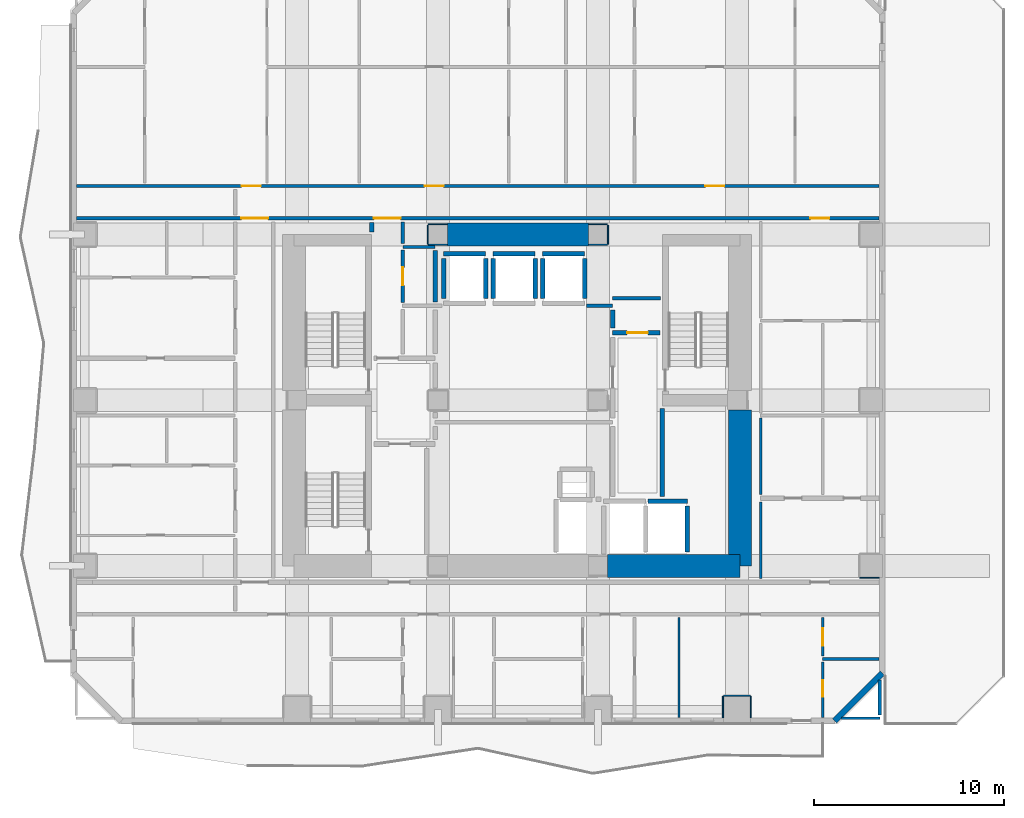
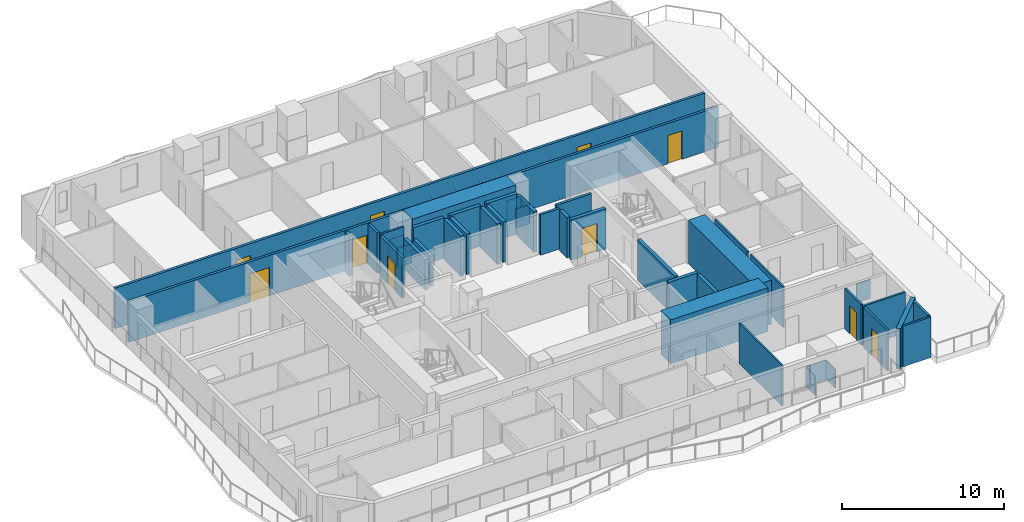
# One storey, part 5 of 12: 45 walls, 10 doors, 10 openings.
"""IFC4 building model written with IfcOpenShell, lengths in metres."""

from ifc_helpers import new_model, si_unit, direction, frame, frame_2d, origin, place, context, subcontext, project, spatial, rectangle, extrude, material, layer, layer_set, type_object, element, fill, save


model = new_model("IFC4")

# Units and contexts
model_context = context("Model", 3, precision=1e-05, world=origin(), true_north=direction((0.0, 1.0)))
body_context = subcontext(model_context, "Body", "Model", "MODEL_VIEW")
ifc_project = project(units=[si_unit("LENGTHUNIT", "METRE"), si_unit("AREAUNIT", "SQUARE_METRE"), si_unit("VOLUMEUNIT", "CUBIC_METRE"), si_unit("PLANEANGLEUNIT", "RADIAN"), si_unit("MASSUNIT", "GRAM", prefix="KILO")], contexts=[model_context])

# Site, building, storey
site_placement = place(None, origin())
site = spatial("IfcSite", under=ifc_project, at=site_placement, CompositionType="ELEMENT")
building_placement = place(site_placement, origin())
building = spatial("IfcBuilding", under=site, at=building_placement, Name="Solanera Arch Residences", CompositionType="ELEMENT")
storey_placement = place(building_placement, frame((0.0, 0.0, 81.760009765625)))
storey = spatial("IfcBuildingStorey", under=building, at=storey_placement, Name="L23", CompositionType="ELEMENT", Elevation=81.760009765625)

# Walls
ifc_material_1 = material(Name="Fire-Rated Gypsum Stud Partition", Category="gypsum")
ifc_layer_1 = layer(ifc_material_1, 0.06005859375)
ifc_layer_set_1 = layer_set([ifc_layer_1], Name="Fire-Rated Gypsum Stud Partition")
wall_type_1 = type_object("IfcWallType", Name="Column Acoustic Furring Wall 60", PredefinedType="PARTITIONING", material=ifc_layer_set_1)
for number, where, z_axis, x_axis, name in (
    (1, (20.300048828125, 38.867919921875, 0.0), (0.0, 0.0, 1.0), (1.0, 0.0, 0.0), "L23 Column Furring 3S"),
    (2, (20.300048828125, 39.931884765625, 0.0), (0.0, 0.0, 1.0), (1.0, 0.0, 0.0), "L23 Column Furring 3N"),
):
    element("IfcWall", number, at=place(storey_placement, frame(where, z_axis=z_axis, x_axis=x_axis)), inside=storey, type_object=wall_type_1, Name=name, PredefinedType="PARTITIONING", context=body_context, shape_type="SweptSolid", body=[
        extrude(rectangle(XDim=0.989990234375, YDim=0.06005859375, at=frame_2d((0.4951171875, 0.0))), origin(), (0.0, 0.0, 1.0), 1.449951171875),
    ])
wall_1_placement = place(storey_placement, frame((20.26806640625, 38.89990234375, 0.0), z_axis=(0.0, 0.0, 1.0), x_axis=(0.0, 1.0, 0.0)))
element("IfcWall", 3, at=wall_1_placement, inside=storey, type_object=wall_type_1, Name="L23 Column Furring 3W", PredefinedType="PARTITIONING", context=body_context, shape_type="SweptSolid", body=[
    extrude(rectangle(XDim=1.0, YDim=0.06005859375, at=frame_2d((0.5, 0.0))), origin(), (0.0, 0.0, 1.0), 1.449951171875),
])
for number, where, z_axis, x_axis, name in (
    (4, (28.7099609375, 38.867919921875, 0.0), (0.0, 0.0, 1.0), (1.0, 0.0, 0.0), "L23 Column Furring 4S"),
    (5, (28.7099609375, 39.931884765625, 0.0), (0.0, 0.0, 1.0), (1.0, 0.0, 0.0), "L23 Column Furring 4N"),
):
    element("IfcWall", number, at=place(storey_placement, frame(where, z_axis=z_axis, x_axis=x_axis)), inside=storey, type_object=wall_type_1, Name=name, PredefinedType="PARTITIONING", context=body_context, shape_type="SweptSolid", body=[
        extrude(rectangle(XDim=0.989990234375, YDim=0.06005859375, at=frame_2d((0.4951171875, 0.0))), origin(), (0.0, 0.0, 1.0), 1.449951171875),
    ])
wall_2_placement = place(storey_placement, frame((29.73193359375, 38.89990234375, 0.0), z_axis=(0.0, 0.0, 1.0), x_axis=(0.0, 1.0, 0.0)))
element("IfcWall", 6, at=wall_2_placement, inside=storey, type_object=wall_type_1, Name="L23 Column Furring 4E", PredefinedType="PARTITIONING", context=body_context, shape_type="SweptSolid", body=[
    extrude(rectangle(XDim=1.0, YDim=0.06005859375, at=frame_2d((0.5, 0.0))), origin(), (0.0, 0.0, 1.0), 1.449951171875),
])
wall_3_placement = place(storey_placement, frame((35.800048828125, 15.181884765625, 0.0), z_axis=(0.0, 0.0, 1.0), x_axis=(1.0, 0.0, 0.0)))
element("IfcWall", 7, at=wall_3_placement, inside=storey, type_object=wall_type_1, Name="L23 Column Furring 15N", PredefinedType="PARTITIONING", context=body_context, shape_type="SweptSolid", body=[
    extrude(rectangle(XDim=1.39990234375, YDim=0.06005859375, at=frame_2d((0.699951171875, 0.0))), origin(), (0.0, 0.0, 1.0), 1.449951171875),
])
for number, where, z_axis, x_axis, name in (
    (8, (35.76806640625, 14.030029296875, 0.0), (0.0, 0.0, 1.0), (0.0, 1.0, 0.0), "L23 Column Furring 15W"),
    (9, (37.23193359375, 14.030029296875, 0.0), (0.0, 0.0, 1.0), (0.0, 1.0, 0.0), "L23 Column Furring 15E"),
):
    element("IfcWall", number, at=place(storey_placement, frame(where, z_axis=z_axis, x_axis=x_axis)), inside=storey, type_object=wall_type_1, Name=name, PredefinedType="PARTITIONING", context=body_context, shape_type="SweptSolid", body=[
        extrude(rectangle(XDim=1.119873046875, YDim=0.06005859375, at=frame_2d((0.56005859375, 0.0))), origin(), (0.0, 0.0, 1.0), 1.449951171875),
    ])
wall_4_placement = place(storey_placement, frame((42.949951171875, 21.367919921875, 0.0), z_axis=(0.0, 0.0, 1.0), x_axis=(1.0, 0.0, 0.0)))
element("IfcWall", 10, at=wall_4_placement, inside=storey, type_object=wall_type_1, Name="L23 Column Furring 18S", PredefinedType="PARTITIONING", context=body_context, shape_type="SweptSolid", body=[
    extrude(rectangle(XDim=1.02001953125, YDim=0.06005859375, at=frame_2d((0.510009765625, 0.0))), origin(), (0.0, 0.0, 1.0), 1.449951171875),
])
ifc_material_2 = material(Name="Concrete C55/67 (f'c = 60 MPa)", Category="concrete")
ifc_layer_2 = layer(ifc_material_2, 1.199951171875)
ifc_layer_set_2 = layer_set([ifc_layer_2], Name="Concrete C55/67 (f'c = 60 MPa)")
wall_type_2 = type_object("IfcWallType", Name="Core Shear Wall CW-1200", PredefinedType="SHEAR", material=ifc_layer_set_2)
wall_5_placement = place(storey_placement, frame((36.659912109375, 22.0, 0.0), z_axis=(0.0, 0.0, 1.0), x_axis=(0.0, 1.0, 0.0)))
element("IfcWall", 11, at=wall_5_placement, inside=storey, type_object=wall_type_2, Name="L23 East Core South Shear Wall", PredefinedType="SHEAR", context=body_context, shape_type="SweptSolid", body=[
    extrude(rectangle(XDim=8.195068359375, YDim=1.199951171875, at=frame_2d((4.09765625, 0.0))), origin(), (0.0, 0.0, 1.0), 3.320068359375),
])
wall_6_placement = place(storey_placement, frame((29.705078125, 22.0, 0.0), z_axis=(0.0, 0.0, 1.0), x_axis=(1.0, 0.0, 0.0)))
element("IfcWall", 12, at=wall_6_placement, inside=storey, type_object=wall_type_2, Name="L23 South-East Core Shear Wall", PredefinedType="SHEAR", context=body_context, shape_type="SweptSolid", body=[
    extrude(rectangle(XDim=6.954833984375, YDim=1.199951171875, at=frame_2d((3.4775390625, 0.0))), origin(), (0.0, 0.0, 1.0), 3.320068359375),
])
wall_7_placement = place(storey_placement, frame((21.304931640625, 39.39990234375, 0.0), z_axis=(0.0, 0.0, 1.0), x_axis=(1.0, 0.0, 0.0)))
element("IfcWall", 13, at=wall_7_placement, inside=storey, type_object=wall_type_2, Name="L23 Central North Core Shear Wall", PredefinedType="SHEAR", context=body_context, shape_type="SweptSolid", body=[
    extrude(rectangle(XDim=7.39013671875, YDim=1.199951171875, at=frame_2d((3.695068359375, 0.0))), origin(), (0.0, 0.0, 1.0), 3.320068359375),
])
ifc_material_3 = material(Name="Autoclaved Aerated Concrete Blockwork", Category="masonry")
ifc_layer_3 = layer(ifc_material_3, 0.179931640625)
ifc_layer_set_3 = layer_set([ifc_layer_3], Name="Autoclaved Aerated Concrete Blockwork")
wall_type_3 = type_object("IfcWallType", Name="Corridor Fire Partition 180", PredefinedType="PARTITIONING", material=ifc_layer_set_3)
wall_8_placement = place(storey_placement, frame((28.593017578125, 35.64990234375, 0.0), z_axis=(0.0, 0.0, 1.0), x_axis=(1.0, 0.0, 0.0)))
element("IfcWall", 14, at=wall_8_placement, inside=storey, type_object=wall_type_3, Name="L23 Interior Partition H10 2", PredefinedType="PARTITIONING", context=body_context, shape_type="SweptSolid", body=[
    extrude(rectangle(XDim=1.382080078125, YDim=0.179931640625, at=frame_2d((0.69091796875, 0.0))), origin(), (0.0, 0.0, 1.0), 3.06005859375),
])
wall_9_placement = place(storey_placement, frame((29.97509765625, 36.050048828125, 0.0), z_axis=(0.0, 0.0, 1.0), x_axis=(1.0, 0.0, 0.0)))
element("IfcWall", 15, at=wall_9_placement, inside=storey, type_object=wall_type_3, Name="L23 Interior Partition H11", PredefinedType="PARTITIONING", context=body_context, shape_type="SweptSolid", body=[
    extrude(rectangle(XDim=2.5048828125, YDim=0.179931640625, at=frame_2d((1.25244140625, 0.0))), origin(), (0.0, 0.0, 1.0), 3.06005859375),
])

# Wall, openings, doors
wall_10_placement = place(storey_placement, frame((1.826904296875, 40.25, 0.0), z_axis=(0.0, 0.0, 1.0), x_axis=(1.0, 0.0, 0.0)))
wall_10 = element("IfcWall", 16, at=wall_10_placement, inside=storey, type_object=wall_type_3, Name="L23 Interior Partition H12", PredefinedType="PARTITIONING", context=body_context, shape_type="SweptSolid", body=[
    extrude(rectangle(XDim=42.14599609375, YDim=0.179931640625, at=frame_2d((21.072998046875, 0.0))), origin(), (0.0, 0.0, 1.0), 3.06005859375),
])
opening_1_placement = place(wall_10_placement, frame((15.60791015625, 0.0, 0.0)))
opening_1 = element("IfcOpeningElement", 17, at=opening_1_placement, cuts=wall_10, Name="Opening DF-03", PredefinedType="OPENING", context=body_context, shape_type="SweptSolid", body=[
    extrude(rectangle(XDim=1.39990234375, YDim=2.14990234375, at=frame_2d((0.699951171875, 1.074951171875))), frame((0.0, 0.10009765625, 0.0), z_axis=(0.0, -1.0, 0.0), x_axis=(1.0, 0.0, 0.0)), (0.0, 0.0, 1.0), 0.1999),
])
opening_2_placement = place(wall_10_placement, frame((8.64697265625, 0.0, 0.0)))
opening_2 = element("IfcOpeningElement", 18, at=opening_2_placement, cuts=wall_10, Name="Opening DF-03", PredefinedType="OPENING", context=body_context, shape_type="SweptSolid", body=[
    extrude(rectangle(XDim=1.39990234375, YDim=2.14990234375, at=frame_2d((0.699951171875, 1.074951171875))), frame((0.0, 0.10009765625, 0.0), z_axis=(0.0, -1.0, 0.0), x_axis=(1.0, 0.0, 0.0)), (0.0, 0.0, 1.0), 0.1999),
])
opening_3_placement = place(wall_10_placement, frame((38.52392578125, 0.0, 0.0)))
opening_3 = element("IfcOpeningElement", 19, at=opening_3_placement, cuts=wall_10, Name="Opening DI-01", PredefinedType="OPENING", context=body_context, shape_type="SweptSolid", body=[
    extrude(rectangle(XDim=1.0, YDim=2.14990234375, at=frame_2d((0.5, 1.074951171875))), frame((0.0, 0.10009765625, 0.0), z_axis=(0.0, -1.0, 0.0), x_axis=(1.0, 0.0, 0.0)), (0.0, 0.0, 1.0), 0.1999),
])
ifc_material_4 = material(Name="Fire-Rated Architectural Hardwood", Category="wood")
door_type_1 = type_object("IfcDoorType", Name="Corridor Smoke Door DF-03", OperationType="NOTDEFINED", PredefinedType="DOOR", material=ifc_material_4)
door_1_placement = place(opening_1_placement, origin())
door_1 = element("IfcDoor", 20, at=door_1_placement, inside=storey, type_object=door_type_1, Name="DR-L23-IN-009", OperationType="SINGLE_SWING_RIGHT", OverallHeight=2.14990234375, OverallWidth=1.39990234375, PredefinedType="DOOR", context=body_context, shape_type="SweptSolid", body=[
    extrude(rectangle(XDim=1.39990234375, YDim=2.14990234375, at=frame_2d((0.699951171875, 1.074951171875))), frame((0.0, 0.02490234375, 0.0), z_axis=(0.0, -1.0, 0.0), x_axis=(1.0, 0.0, 0.0)), (0.0, 0.0, 1.0), 0.050048828125),
])
fill(opening_1, door_1)
door_2_placement = place(opening_2_placement, origin())
door_2 = element("IfcDoor", 21, at=door_2_placement, inside=storey, type_object=door_type_1, Name="DR-L23-IN-011", OperationType="SINGLE_SWING_RIGHT", OverallHeight=2.14990234375, OverallWidth=1.39990234375, PredefinedType="DOOR", context=body_context, shape_type="SweptSolid", body=[
    extrude(rectangle(XDim=1.39990234375, YDim=2.14990234375, at=frame_2d((0.699951171875, 1.074951171875))), frame((0.0, 0.02490234375, 0.0), z_axis=(0.0, -1.0, 0.0), x_axis=(1.0, 0.0, 0.0)), (0.0, 0.0, 1.0), 0.050048828125),
])
fill(opening_2, door_2)
ifc_material_5 = material(Name="Fire-Rated Architectural Hardwood", Category="wood")
door_type_2 = type_object("IfcDoorType", Name="Unit Entrance Fire Door DI-01", OperationType="NOTDEFINED", PredefinedType="DOOR", material=ifc_material_5)
door_3_placement = place(opening_3_placement, origin())
door_3 = element("IfcDoor", 22, at=door_3_placement, inside=storey, type_object=door_type_2, Name="DR-L23-IN-053", OperationType="SINGLE_SWING_RIGHT", OverallHeight=2.14990234375, OverallWidth=1.0, PredefinedType="DOOR", context=body_context, shape_type="SweptSolid", body=[
    extrude(rectangle(XDim=1.0, YDim=2.14990234375, at=frame_2d((0.5, 1.074951171875))), frame((0.0, 0.02490234375, 0.0), z_axis=(0.0, -1.0, 0.0), x_axis=(1.0, 0.0, 0.0)), (0.0, 0.0, 1.0), 0.050048828125),
])
fill(opening_3, door_3)

wall_11_placement = place(storey_placement, frame((1.826904296875, 41.949951171875, 0.0), z_axis=(0.0, 0.0, 1.0), x_axis=(1.0, 0.0, 0.0)))
wall_11 = element("IfcWall", 23, at=wall_11_placement, inside=storey, type_object=wall_type_3, Name="L23 Interior Partition H13", PredefinedType="PARTITIONING", context=body_context, shape_type="SweptSolid", body=[
    extrude(rectangle(XDim=42.14599609375, YDim=0.179931640625, at=frame_2d((21.072998046875, 0.0))), origin(), (0.0, 0.0, 1.0), 3.06005859375),
])
opening_4_placement = place(wall_11_placement, frame((8.66796875, 0.0, 0.0)))
opening_4 = element("IfcOpeningElement", 24, at=opening_4_placement, cuts=wall_11, Name="Opening DI-01", PredefinedType="OPENING", context=body_context, shape_type="SweptSolid", body=[
    extrude(rectangle(XDim=1.0, YDim=2.14990234375, at=frame_2d((0.5, 1.074951171875))), frame((0.0, 0.10009765625, 0.0), z_axis=(0.0, -1.0, 0.0), x_axis=(1.0, 0.0, 0.0)), (0.0, 0.0, 1.0), 0.1999),
])
opening_5_placement = place(wall_11_placement, frame((18.26904296875, 0.0, 0.0)))
opening_5 = element("IfcOpeningElement", 25, at=opening_5_placement, cuts=wall_11, Name="Opening DI-01", PredefinedType="OPENING", context=body_context, shape_type="SweptSolid", body=[
    extrude(rectangle(XDim=1.0, YDim=2.14990234375, at=frame_2d((0.5, 1.074951171875))), frame((0.0, 0.10009765625, 0.0), z_axis=(0.0, -1.0, 0.0), x_axis=(1.0, 0.0, 0.0)), (0.0, 0.0, 1.0), 0.1999),
])
opening_6_placement = place(wall_11_placement, frame((33.010009765625, 0.0, 0.0)))
opening_6 = element("IfcOpeningElement", 26, at=opening_6_placement, cuts=wall_11, Name="Opening DI-01", PredefinedType="OPENING", context=body_context, shape_type="SweptSolid", body=[
    extrude(rectangle(XDim=1.0, YDim=2.14990234375, at=frame_2d((0.5, 1.074951171875))), frame((0.0, 0.10009765625, 0.0), z_axis=(0.0, -1.0, 0.0), x_axis=(1.0, 0.0, 0.0)), (0.0, 0.0, 1.0), 0.1999),
])
door_4_placement = place(opening_4_placement, origin())
door_4 = element("IfcDoor", 27, at=door_4_placement, inside=storey, type_object=door_type_2, Name="DR-L23-IN-027", OperationType="SINGLE_SWING_RIGHT", OverallHeight=2.14990234375, OverallWidth=1.0, PredefinedType="DOOR", context=body_context, shape_type="SweptSolid", body=[
    extrude(rectangle(XDim=1.0, YDim=2.14990234375, at=frame_2d((0.5, 1.074951171875))), frame((0.0, 0.02490234375, 0.0), z_axis=(0.0, -1.0, 0.0), x_axis=(1.0, 0.0, 0.0)), (0.0, 0.0, 1.0), 0.050048828125),
])
fill(opening_4, door_4)
door_5_placement = place(opening_5_placement, origin())
door_5 = element("IfcDoor", 28, at=door_5_placement, inside=storey, type_object=door_type_2, Name="DR-L23-IN-032", OperationType="SINGLE_SWING_LEFT", OverallHeight=2.14990234375, OverallWidth=1.0, PredefinedType="DOOR", context=body_context, shape_type="SweptSolid", body=[
    extrude(rectangle(XDim=1.0, YDim=2.14990234375, at=frame_2d((0.5, 1.074951171875))), frame((0.0, 0.02490234375, 0.0), z_axis=(0.0, -1.0, 0.0), x_axis=(1.0, 0.0, 0.0)), (0.0, 0.0, 1.0), 0.050048828125),
])
fill(opening_5, door_5)
door_6_placement = place(opening_6_placement, origin())
door_6 = element("IfcDoor", 29, at=door_6_placement, inside=storey, type_object=door_type_2, Name="DR-L23-IN-036", OperationType="SINGLE_SWING_LEFT", OverallHeight=2.14990234375, OverallWidth=1.0, PredefinedType="DOOR", context=body_context, shape_type="SweptSolid", body=[
    extrude(rectangle(XDim=1.0, YDim=2.14990234375, at=frame_2d((0.5, 1.074951171875))), frame((0.0, 0.02490234375, 0.0), z_axis=(0.0, -1.0, 0.0), x_axis=(1.0, 0.0, 0.0)), (0.0, 0.0, 1.0), 0.050048828125),
])
fill(opening_6, door_6)

# Wall, opening, door
wall_12_placement = place(storey_placement, frame((18.949951171875, 35.837890625, 0.0), z_axis=(0.0, 0.0, 1.0), x_axis=(0.0, 1.0, 0.0)))
wall_12 = element("IfcWall", 30, at=wall_12_placement, inside=storey, type_object=wall_type_3, Name="L23 Interior Partition V9 2", PredefinedType="PARTITIONING", context=body_context, shape_type="SweptSolid", body=[
    extrude(rectangle(XDim=2.744140625, YDim=0.179931640625, at=frame_2d((1.3720703125, 0.0))), origin(), (0.0, 0.0, 1.0), 3.06005859375),
])
opening_7_placement = place(wall_12_placement, frame((0.886962890625, 0.0, 0.0)))
opening_7 = element("IfcOpeningElement", 31, at=opening_7_placement, cuts=wall_12, Name="Opening DI-04", PredefinedType="OPENING", context=body_context, shape_type="SweptSolid", body=[
    extrude(rectangle(XDim=0.949951171875, YDim=2.10009765625, at=frame_2d((0.47509765625, 1.050048828125))), frame((0.0, 0.10009765625, 0.0), z_axis=(0.0, -1.0, 0.0), x_axis=(1.0, 0.0, 0.0)), (0.0, 0.0, 1.0), 0.1999),
])
ifc_material_6 = material(Name="Fire-Rated Architectural Hardwood", Category="wood")
door_type_3 = type_object("IfcDoorType", Name="Accessible Restroom Door DI-04", OperationType="NOTDEFINED", PredefinedType="DOOR", material=ifc_material_6)
door_7_placement = place(opening_7_placement, origin())
door_7 = element("IfcDoor", 32, at=door_7_placement, inside=storey, type_object=door_type_3, Name="DR-L23-IN-012", OperationType="SINGLE_SWING_LEFT", OverallHeight=2.10009765625, OverallWidth=0.949951171875, PredefinedType="DOOR", context=body_context, shape_type="SweptSolid", body=[
    extrude(rectangle(XDim=0.949951171875, YDim=2.10009765625, at=frame_2d((0.47509765625, 1.050048828125))), frame((0.0, 0.02490234375, 0.0), z_axis=(0.0, -1.0, 0.0), x_axis=(1.0, 0.0, 0.0)), (0.0, 0.0, 1.0), 0.050048828125),
])
fill(opening_7, door_7)

# Walls
wall_13_placement = place(storey_placement, frame((18.949951171875, 38.91796875, 0.0), z_axis=(0.0, 0.0, 1.0), x_axis=(0.0, 1.0, 0.0)))
element("IfcWall", 33, at=wall_13_placement, inside=storey, type_object=wall_type_3, Name="L23 Interior Partition V9 3", PredefinedType="PARTITIONING", context=body_context, shape_type="SweptSolid", body=[
    extrude(rectangle(XDim=1.14404296875, YDim=0.179931640625, at=frame_2d((0.572021484375, 0.0))), origin(), (0.0, 0.0, 1.0), 3.06005859375),
])
wall_14_placement = place(storey_placement, frame((44.0, 14.16796875, 0.0), z_axis=(0.0, 0.0, 1.0), x_axis=(0.0, 1.0, 0.0)))
element("IfcWall", 34, at=wall_14_placement, inside=storey, type_object=wall_type_3, Name="L23 Interior Partition V10 1", PredefinedType="PARTITIONING", context=body_context, shape_type="SweptSolid", body=[
    extrude(rectangle(XDim=1.8330078125, YDim=0.179931640625, at=frame_2d((0.91650390625, 0.0))), origin(), (0.0, 0.0, 1.0), 3.06005859375),
])
ifc_material_7 = material(Name="Precast Concrete C35/45", Category="concrete")
ifc_layer_4 = layer(ifc_material_7, 0.300048828125)
ifc_layer_set_4 = layer_set([ifc_layer_4], Name="Precast Concrete C35/45")
wall_type_4 = type_object("IfcWallType", Name="Exterior Wall Precast Masonry-Frame 300", PredefinedType="STANDARD", material=ifc_layer_set_4)
wall_15_placement = place(storey_placement, frame((44.135009765625, 16.364990234375, 0.0), z_axis=(0.0, 0.0, 1.0), x_axis=(-0.707106781187, -0.707106781187, 0.0)))
element("IfcWall", 35, at=wall_15_placement, inside=storey, type_object=wall_type_4, Name="L23 Tower Exterior Precast Masonry-Frame Wall CH5", PredefinedType="STANDARD", context=body_context, shape_type="SweptSolid", body=[
    extrude(rectangle(XDim=3.53564453125, YDim=0.300048828125, at=frame_2d((1.767822265625, 0.0))), origin(), (0.0, 0.0, 1.0), 3.06005859375),
])
ifc_material_8 = material(Name="Autoclaved Aerated Concrete Blockwork", Category="masonry")
ifc_layer_5 = layer(ifc_material_8, 0.239990234375)
ifc_layer_set_5 = layer_set([ifc_layer_5], Name="Autoclaved Aerated Concrete Blockwork")
wall_type_5 = type_object("IfcWallType", Name="Shaft Wall Fire-Rated 240", PredefinedType="PARTITIONING", material=ifc_layer_set_5)
wall_16_placement = place(storey_placement, frame((21.10009765625, 38.39990234375, 0.0), z_axis=(0.0, 0.0, 1.0), x_axis=(1.0, 0.0, 0.0)))
element("IfcWall", 36, at=wall_16_placement, inside=storey, type_object=wall_type_5, Name="L23 Lift PL-L1 Hoistway Wall N", PredefinedType="PARTITIONING", context=body_context, shape_type="SweptSolid", body=[
    extrude(rectangle(XDim=2.199951171875, YDim=0.239990234375, at=frame_2d((1.10009765625, 0.0))), origin(), (0.0, 0.0, 1.0), 3.06005859375),
])
wall_17_placement = place(storey_placement, frame((21.10009765625, 36.048095703125, 0.0), z_axis=(0.0, 0.0, 1.0), x_axis=(0.0, 1.0, 0.0)))
element("IfcWall", 37, at=wall_17_placement, inside=storey, type_object=wall_type_5, Name="L23 Lift PL-L1 Hoistway Wall W", PredefinedType="PARTITIONING", context=body_context, shape_type="SweptSolid", body=[
    extrude(rectangle(XDim=2.10400390625, YDim=0.239990234375, at=frame_2d((1.052001953125, 0.0))), origin(), (0.0, 0.0, 1.0), 2.294921875),
])
wall_18_placement = place(storey_placement, frame((23.300048828125, 36.048095703125, 0.0), z_axis=(0.0, 0.0, 1.0), x_axis=(0.0, 1.0, 0.0)))
element("IfcWall", 38, at=wall_18_placement, inside=storey, type_object=wall_type_5, Name="L23 Lift PL-L1 Hoistway Wall E", PredefinedType="PARTITIONING", context=body_context, shape_type="SweptSolid", body=[
    extrude(rectangle(XDim=2.10400390625, YDim=0.239990234375, at=frame_2d((1.052001953125, 0.0))), origin(), (0.0, 0.0, 1.0), 3.06005859375),
])
wall_19_placement = place(storey_placement, frame((23.699951171875, 38.39990234375, 0.0), z_axis=(0.0, 0.0, 1.0), x_axis=(1.0, 0.0, 0.0)))
element("IfcWall", 39, at=wall_19_placement, inside=storey, type_object=wall_type_5, Name="L23 Lift PL-L2 Hoistway Wall N", PredefinedType="PARTITIONING", context=body_context, shape_type="SweptSolid", body=[
    extrude(rectangle(XDim=2.199951171875, YDim=0.239990234375, at=frame_2d((1.10009765625, 0.0))), origin(), (0.0, 0.0, 1.0), 3.06005859375),
])
for number, where, z_axis, x_axis, name in (
    (40, (23.699951171875, 36.048095703125, 0.0), (0.0, 0.0, 1.0), (0.0, 1.0, 0.0), "L23 Lift PL-L2 Hoistway Wall W"),
    (41, (25.89990234375, 36.048095703125, 0.0), (0.0, 0.0, 1.0), (0.0, 1.0, 0.0), "L23 Lift PL-L2 Hoistway Wall E"),
):
    element("IfcWall", number, at=place(storey_placement, frame(where, z_axis=z_axis, x_axis=x_axis)), inside=storey, type_object=wall_type_5, Name=name, PredefinedType="PARTITIONING", context=body_context, shape_type="SweptSolid", body=[
        extrude(rectangle(XDim=2.10400390625, YDim=0.239990234375, at=frame_2d((1.052001953125, 0.0))), origin(), (0.0, 0.0, 1.0), 3.06005859375),
    ])
wall_20_placement = place(storey_placement, frame((26.300048828125, 38.39990234375, 0.0), z_axis=(0.0, 0.0, 1.0), x_axis=(1.0, 0.0, 0.0)))
element("IfcWall", 42, at=wall_20_placement, inside=storey, type_object=wall_type_5, Name="L23 Lift PL-L3 Hoistway Wall N", PredefinedType="PARTITIONING", context=body_context, shape_type="SweptSolid", body=[
    extrude(rectangle(XDim=2.199951171875, YDim=0.239990234375, at=frame_2d((1.10009765625, 0.0))), origin(), (0.0, 0.0, 1.0), 3.06005859375),
])
for number, where, z_axis, x_axis, name in (
    (43, (26.300048828125, 36.048095703125, 0.0), (0.0, 0.0, 1.0), (0.0, 1.0, 0.0), "L23 Lift PL-L3 Hoistway Wall W"),
    (44, (28.5, 36.048095703125, 0.0), (0.0, 0.0, 1.0), (0.0, 1.0, 0.0), "L23 Lift PL-L3 Hoistway Wall E"),
):
    element("IfcWall", number, at=place(storey_placement, frame(where, z_axis=z_axis, x_axis=x_axis)), inside=storey, type_object=wall_type_5, Name=name, PredefinedType="PARTITIONING", context=body_context, shape_type="SweptSolid", body=[
        extrude(rectangle(XDim=2.10400390625, YDim=0.239990234375, at=frame_2d((1.052001953125, 0.0))), origin(), (0.0, 0.0, 1.0), 3.06005859375),
    ])
wall_21_placement = place(storey_placement, frame((31.827880859375, 25.39990234375, 0.0), z_axis=(0.0, 0.0, 1.0), x_axis=(1.0, 0.0, 0.0)))
element("IfcWall", 45, at=wall_21_placement, inside=storey, type_object=wall_type_5, Name="L23 Lift FFL-2 Hoistway Wall N", PredefinedType="PARTITIONING", context=body_context, shape_type="SweptSolid", body=[
    extrude(rectangle(XDim=2.072021484375, YDim=0.239990234375, at=frame_2d((1.0361328125, 0.0))), origin(), (0.0, 0.0, 1.0), 3.06005859375),
])
wall_22_placement = place(storey_placement, frame((33.89990234375, 22.72998046875, 0.0), z_axis=(0.0, 0.0, 1.0), x_axis=(0.0, 1.0, 0.0)))
element("IfcWall", 46, at=wall_22_placement, inside=storey, type_object=wall_type_5, Name="L23 Lift FFL-2 Hoistway Wall E", PredefinedType="PARTITIONING", context=body_context, shape_type="SweptSolid", body=[
    extrude(rectangle(XDim=2.422119140625, YDim=0.239990234375, at=frame_2d((1.2109375, 0.0))), origin(), (0.0, 0.0, 1.0), 3.06005859375),
])

# Wall, opening, door
wall_23_placement = place(storey_placement, frame((29.97509765625, 34.25, 0.0), z_axis=(0.0, 0.0, 1.0), x_axis=(1.0, 0.0, 0.0)))
wall_23 = element("IfcWall", 47, at=wall_23_placement, inside=storey, type_object=wall_type_5, Name="L23 Interior Partition H7", PredefinedType="PARTITIONING", context=body_context, shape_type="SweptSolid", body=[
    extrude(rectangle(XDim=2.474853515625, YDim=0.239990234375, at=frame_2d((1.2373046875, 0.0))), origin(), (0.0, 0.0, 1.0), 3.06005859375),
])
opening_8_placement = place(wall_23_placement, frame((0.751953125, 0.0, 0.0)))
opening_8 = element("IfcOpeningElement", 48, at=opening_8_placement, cuts=wall_23, Name="Opening DF-02", PredefinedType="OPENING", context=body_context, shape_type="SweptSolid", body=[
    extrude(rectangle(XDim=1.10009765625, YDim=2.14990234375, at=frame_2d((0.550048828125, 1.074951171875))), frame((0.0, 0.1298828125, 0.0), z_axis=(0.0, -1.0, 0.0), x_axis=(1.0, 0.0, 0.0)), (0.0, 0.0, 1.0), 0.26),
])
ifc_material_9 = material(Name="Fire-Rated Architectural Hardwood", Category="wood")
door_type_4 = type_object("IfcDoorType", Name="Firefighting Lobby Fire Door DF-02", OperationType="NOTDEFINED", PredefinedType="DOOR", material=ifc_material_9)
door_8_placement = place(opening_8_placement, origin())
door_8 = element("IfcDoor", 49, at=door_8_placement, inside=storey, type_object=door_type_4, Name="DR-L23-IN-007", OperationType="SINGLE_SWING_RIGHT", OverallHeight=2.14990234375, OverallWidth=1.10009765625, PredefinedType="DOOR", context=body_context, shape_type="SweptSolid", body=[
    extrude(rectangle(XDim=1.10009765625, YDim=2.14990234375, at=frame_2d((0.550048828125, 1.074951171875))), frame((0.0, 0.02490234375, 0.0), z_axis=(0.0, -1.0, 0.0), x_axis=(1.0, 0.0, 0.0)), (0.0, 0.0, 1.0), 0.050048828125),
])
fill(opening_8, door_8)

# Walls
wall_24_placement = place(storey_placement, frame((17.320068359375, 39.530029296875, 0.0), z_axis=(0.0, 0.0, 1.0), x_axis=(0.0, 1.0, 0.0)))
element("IfcWall", 50, at=wall_24_placement, inside=storey, type_object=wall_type_5, Name="L23 Interior Partition V1", PredefinedType="PARTITIONING", context=body_context, shape_type="SweptSolid", body=[
    extrude(rectangle(XDim=0.501953125, YDim=0.239990234375, at=frame_2d((0.2509765625, 0.0))), origin(), (0.0, 0.0, 1.0), 3.06005859375),
])
wall_25_placement = place(storey_placement, frame((20.64990234375, 35.867919921875, 0.0), z_axis=(0.0, 0.0, 1.0), x_axis=(0.0, 1.0, 0.0)))
element("IfcWall", 51, at=wall_25_placement, inside=storey, type_object=wall_type_5, Name="L23 Interior Partition V3 5", PredefinedType="PARTITIONING", context=body_context, shape_type="SweptSolid", body=[
    extrude(rectangle(XDim=2.68408203125, YDim=0.239990234375, at=frame_2d((1.342041015625, 0.0))), origin(), (0.0, 0.0, 1.0), 2.294921875),
])
wall_26_placement = place(storey_placement, frame((29.97509765625, 34.498046875, 0.0), z_axis=(0.0, 0.0, 1.0), x_axis=(0.0, 1.0, 0.0)))
element("IfcWall", 52, at=wall_26_placement, inside=storey, type_object=wall_type_5, Name="L23 Interior Partition V4 3", PredefinedType="PARTITIONING", context=body_context, shape_type="SweptSolid", body=[
    extrude(rectangle(XDim=0.933837890625, YDim=0.239990234375, at=frame_2d((0.466796875, 0.0))), origin(), (0.0, 0.0, 1.0), 3.06005859375),
])
wall_27_placement = place(storey_placement, frame((32.580078125, 25.64794921875, 0.0), z_axis=(0.0, 0.0, 1.0), x_axis=(0.0, 1.0, 0.0)))
element("IfcWall", 53, at=wall_27_placement, inside=storey, type_object=wall_type_5, Name="L23 Interior Partition V5", PredefinedType="PARTITIONING", context=body_context, shape_type="SweptSolid", body=[
    extrude(rectangle(XDim=4.6220703125, YDim=0.239990234375, at=frame_2d((2.31103515625, 0.0))), origin(), (0.0, 0.0, 1.0), 3.06005859375),
])
ifc_material_10 = material(Name="Fire-Rated Gypsum Stud Partition", Category="gypsum")
ifc_layer_6 = layer(ifc_material_10, 0.1201171875)
ifc_layer_set_6 = layer_set([ifc_layer_6], Name="Fire-Rated Gypsum Stud Partition")
wall_type_6 = type_object("IfcWallType", Name="Unit Drywall Partition 120", PredefinedType="PARTITIONING", material=ifc_layer_set_6)
wall_28_placement = place(storey_placement, frame((33.451904296875, 14.027099609375, 0.0), z_axis=(0.0, 0.0, 1.0), x_axis=(0.0, 1.0, 0.0)))
element("IfcWall", 54, at=wall_28_placement, inside=storey, type_object=wall_type_6, Name="L23 Interior Partition V30", PredefinedType="PARTITIONING", context=body_context, shape_type="SweptSolid", body=[
    extrude(rectangle(XDim=5.264892578125, YDim=0.1201171875, at=frame_2d((2.63232421875, 0.0))), origin(), (0.0, 0.0, 1.0), 3.06005859375),
])
wall_29_placement = place(storey_placement, frame((37.75, 21.337890625, 0.0), z_axis=(0.0, 0.0, 1.0), x_axis=(0.0, 1.0, 0.0)))
element("IfcWall", 55, at=wall_29_placement, inside=storey, type_object=wall_type_6, Name="L23 Interior Partition V31 1", PredefinedType="PARTITIONING", context=body_context, shape_type="SweptSolid", body=[
    extrude(rectangle(XDim=4.024169921875, YDim=0.1201171875, at=frame_2d((2.01220703125, 0.0))), origin(), (0.0, 0.0, 1.0), 3.06005859375),
])
wall_30_placement = place(storey_placement, frame((37.75, 25.738037109375, 0.0), z_axis=(0.0, 0.0, 1.0), x_axis=(0.0, 1.0, 0.0)))
element("IfcWall", 56, at=wall_30_placement, inside=storey, type_object=wall_type_6, Name="L23 Interior Partition V31 2", PredefinedType="PARTITIONING", context=body_context, shape_type="SweptSolid", body=[
    extrude(rectangle(XDim=4.02392578125, YDim=0.1201171875, at=frame_2d((2.011962890625, 0.0))), origin(), (0.0, 0.0, 1.0), 3.06005859375),
])
ifc_material_11 = material(Name="Autoclaved Aerated Concrete Blockwork", Category="masonry")
ifc_layer_7 = layer(ifc_material_11, 0.139892578125)
ifc_layer_set_7 = layer_set([ifc_layer_7], Name="Autoclaved Aerated Concrete Blockwork")
wall_type_7 = type_object("IfcWallType", Name="Wet-Room Partition 140", PredefinedType="PARTITIONING", material=ifc_layer_set_7)
wall_31_placement = place(storey_placement, frame((41.9990234375, 14.0, 0.0), z_axis=(0.0, 0.0, 1.0), x_axis=(1.0, 0.0, 0.0)))
element("IfcWall", 57, at=wall_31_placement, inside=storey, type_object=wall_type_7, Name="L23 Interior Partition H14 2", PredefinedType="PARTITIONING", context=body_context, shape_type="SweptSolid", body=[
    extrude(rectangle(XDim=2.0009765625, YDim=0.139892578125, at=frame_2d((1.00048828125, 0.0))), origin(), (0.0, 0.0, 1.0), 3.06005859375),
])
wall_32_placement = place(storey_placement, frame((41.0, 17.10693359375, 0.0), z_axis=(0.0, 0.0, 1.0), x_axis=(1.0, 0.0, 0.0)))
element("IfcWall", 58, at=wall_32_placement, inside=storey, type_object=wall_type_7, Name="L23 Interior Partition H18", PredefinedType="PARTITIONING", context=body_context, shape_type="SweptSolid", body=[
    extrude(rectangle(XDim=2.972900390625, YDim=0.139892578125, at=frame_2d((1.486328125, 0.0))), origin(), (0.0, 0.0, 1.0), 3.06005859375),
])
wall_33_placement = place(storey_placement, frame((18.949951171875, 38.75, 0.0), z_axis=(0.0, 0.0, 1.0), x_axis=(1.0, 0.0, 0.0)))
element("IfcWall", 59, at=wall_33_placement, inside=storey, type_object=wall_type_7, Name="L23 Interior Partition H24", PredefinedType="PARTITIONING", context=body_context, shape_type="SweptSolid", body=[
    extrude(rectangle(XDim=1.699951171875, YDim=0.139892578125, at=frame_2d((0.85009765625, 0.0))), origin(), (0.0, 0.0, 1.0), 3.06005859375),
])

# Wall, opening, door
wall_34_placement = place(storey_placement, frame((41.0, 14.027099609375, 0.0), z_axis=(0.0, 0.0, 1.0), x_axis=(0.0, 1.0, 0.0)))
wall_34 = element("IfcWall", 60, at=wall_34_placement, inside=storey, type_object=wall_type_7, Name="L23 Interior Partition V25 1", PredefinedType="PARTITIONING", context=body_context, shape_type="SweptSolid", body=[
    extrude(rectangle(XDim=2.931884765625, YDim=0.139892578125, at=frame_2d((1.4658203125, 0.0))), origin(), (0.0, 0.0, 1.0), 3.06005859375),
])
opening_9_placement = place(wall_34_placement, frame((1.10888671875, 0.0, 0.0)))
opening_9 = element("IfcOpeningElement", 61, at=opening_9_placement, cuts=wall_34, Name="Opening DI-05", PredefinedType="OPENING", context=body_context, shape_type="SweptSolid", body=[
    extrude(rectangle(XDim=0.860107421875, YDim=2.02001953125, at=frame_2d((0.43017578125, 1.010009765625))), frame((0.0, 0.079833984375, 0.0), z_axis=(0.0, -1.0, 0.0), x_axis=(1.0, 0.0, 0.0)), (0.0, 0.0, 1.0), 0.1599),
])
ifc_material_12 = material(Name="Fire-Rated Architectural Hardwood", Category="wood")
door_type_5 = type_object("IfcDoorType", Name="Bathroom Swing Door DI-05", OperationType="NOTDEFINED", PredefinedType="DOOR", material=ifc_material_12)
door_9_placement = place(opening_9_placement, origin())
door_9 = element("IfcDoor", 62, at=door_9_placement, inside=storey, type_object=door_type_5, Name="DR-L23-IN-026", OperationType="SINGLE_SWING_LEFT", OverallHeight=2.02001953125, OverallWidth=0.860107421875, PredefinedType="DOOR", context=body_context, shape_type="SweptSolid", body=[
    extrude(rectangle(XDim=0.860107421875, YDim=2.02001953125, at=frame_2d((0.43017578125, 1.010009765625))), frame((0.0, 0.02490234375, 0.0), z_axis=(0.0, -1.0, 0.0), x_axis=(1.0, 0.0, 0.0)), (0.0, 0.0, 1.0), 0.050048828125),
])
fill(opening_9, door_9)

wall_35_placement = place(storey_placement, frame((41.0, 17.2548828125, 0.0), z_axis=(0.0, 0.0, 1.0), x_axis=(0.0, 1.0, 0.0)))
wall_35 = element("IfcWall", 63, at=wall_35_placement, inside=storey, type_object=wall_type_7, Name="L23 Interior Partition V25 2", PredefinedType="PARTITIONING", context=body_context, shape_type="SweptSolid", body=[
    extrude(rectangle(XDim=2.027099609375, YDim=0.139892578125, at=frame_2d((1.013671875, 0.0))), origin(), (0.0, 0.0, 1.0), 3.06005859375),
])
opening_10_placement = place(wall_35_placement, frame((0.56103515625, 0.0, 0.0)))
opening_10 = element("IfcOpeningElement", 64, at=opening_10_placement, cuts=wall_35, Name="Opening DI-02", PredefinedType="OPENING", context=body_context, shape_type="SweptSolid", body=[
    extrude(rectangle(XDim=0.89990234375, YDim=2.10009765625, at=frame_2d((0.449951171875, 1.050048828125))), frame((0.0, 0.079833984375, 0.0), z_axis=(0.0, -1.0, 0.0), x_axis=(1.0, 0.0, 0.0)), (0.0, 0.0, 1.0), 0.1599),
])
ifc_material_13 = material(Name="Fire-Rated Architectural Hardwood", Category="wood")
door_type_6 = type_object("IfcDoorType", Name="Suite Room Swing Door DI-02", OperationType="NOTDEFINED", PredefinedType="DOOR", material=ifc_material_13)
door_10_placement = place(opening_10_placement, origin())
door_10 = element("IfcDoor", 65, at=door_10_placement, inside=storey, type_object=door_type_6, Name="DR-L23-IN-025", OperationType="SINGLE_SWING_RIGHT", OverallHeight=2.10009765625, OverallWidth=0.89990234375, PredefinedType="DOOR", context=body_context, shape_type="SweptSolid", body=[
    extrude(rectangle(XDim=0.89990234375, YDim=2.10009765625, at=frame_2d((0.449951171875, 1.050048828125))), frame((0.0, 0.02490234375, 0.0), z_axis=(0.0, -1.0, 0.0), x_axis=(1.0, 0.0, 0.0)), (0.0, 0.0, 1.0), 0.050048828125),
])
fill(opening_10, door_10)

save(model, "model.ifc")
